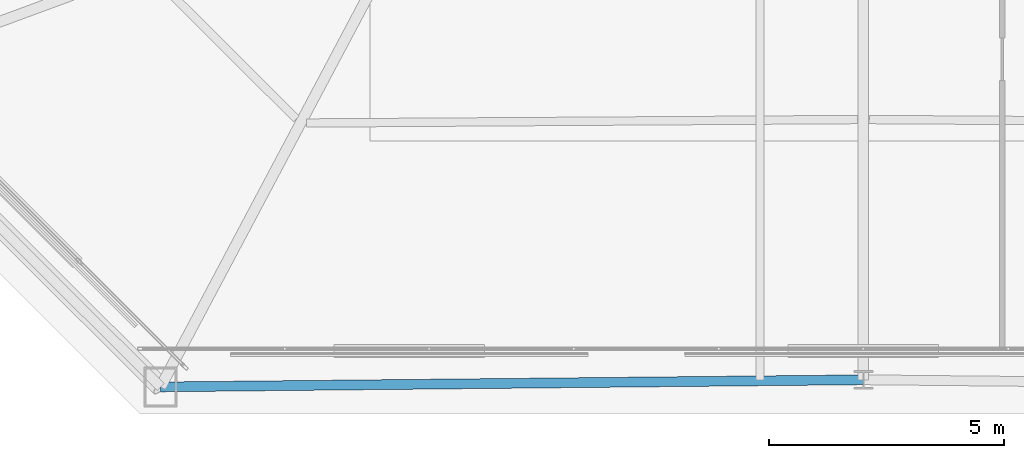
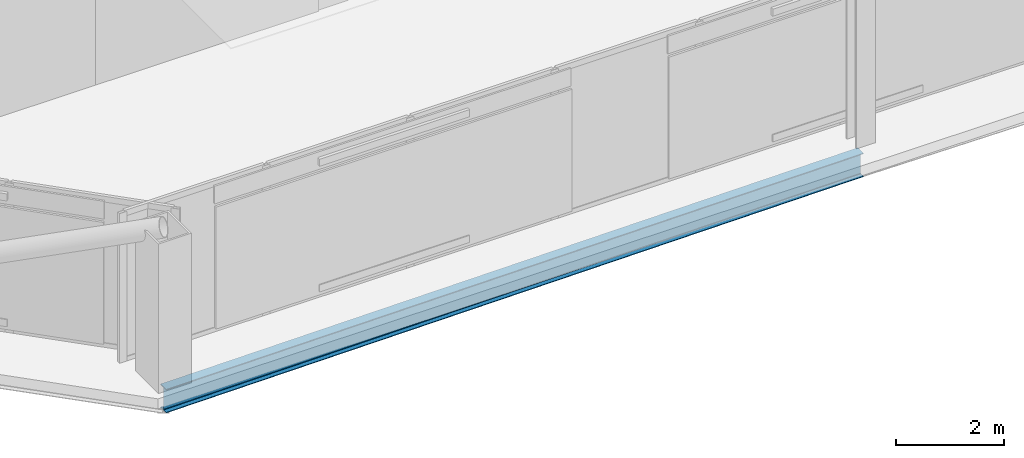
# One storey, part 4 of 39: 1 beam.
"""IFC4 building model written with IfcOpenShell, lengths in metres."""

from ifc_helpers import new_model, si_unit, direction, frame, origin, origin_2d, place, context, subcontext, project, spatial, i_section, extrude, material, material_profile, profile_set, type_object, element, save


model = new_model("IFC4")

# Units and contexts
model_context = context("Model", 3, precision=1e-05, world=origin(), true_north=direction((0.0, 1.0)))
body_context = subcontext(model_context, "Body", "Model", "MODEL_VIEW")
ifc_project = project(units=[si_unit("LENGTHUNIT", "METRE"), si_unit("AREAUNIT", "SQUARE_METRE"), si_unit("VOLUMEUNIT", "CUBIC_METRE"), si_unit("PLANEANGLEUNIT", "RADIAN"), si_unit("MASSUNIT", "GRAM", prefix="KILO")], contexts=[model_context])

# Site, building, storey
site_placement = place(None, origin())
site = spatial("IfcSite", under=ifc_project, at=site_placement, CompositionType="ELEMENT")
building_placement = place(site_placement, origin())
building = spatial("IfcBuilding", under=site, at=building_placement, Name="Caelvoria Tower", CompositionType="ELEMENT")
storey_placement = place(building_placement, frame((0.0, 0.0, 198.60009765625)))
storey = spatial("IfcBuildingStorey", under=building, at=storey_placement, Name="L52", CompositionType="ELEMENT", Elevation=198.60009765625)

# Beam
ifc_material = material(Name="Structural Steel ASTM A992 Gr.50", Category="steel")
ifc_material_profile = material_profile(ifc_material, i_section(OverallWidth=0.208984375, OverallDepth=0.532958984375, WebThickness=0.01025390625, FlangeThickness=0.015625, FilletRadius=0.01611328125, at=origin_2d()), Name="Structural Steel ASTM A992 Gr.50")
ifc_profile_set = profile_set([ifc_material_profile], Name="W530X92 - Structural Steel ASTM A992 Gr.50")
beam_type = type_object("IfcBeamType", Name="Upper Zone Spandrel W530X92", PredefinedType="BEAM", material=ifc_profile_set)
beam_placement = place(storey_placement, frame((31.0419921875, 12.768310546875, -0.49169921875), z_axis=(0.999948636769, 0.01013527622, 0.0), x_axis=(-0.01013527622, 0.999948636769, 0.0)))
element("IfcBeam", 1, at=beam_placement, inside=storey, type_object=beam_type, Name="Perimeter Spandrel Girder L52-00", PredefinedType="BEAM", context=body_context, shape_type="SweptSolid", body=[
    extrude(i_section(OverallWidth=0.208984375, OverallDepth=0.532958984375, WebThickness=0.01025390625, FlangeThickness=0.015625, FilletRadius=0.01611328125, at=origin_2d()), origin(), (0.0, 0.0, 1.0), 14.958740234375),
])

save(model, "model.ifc")
